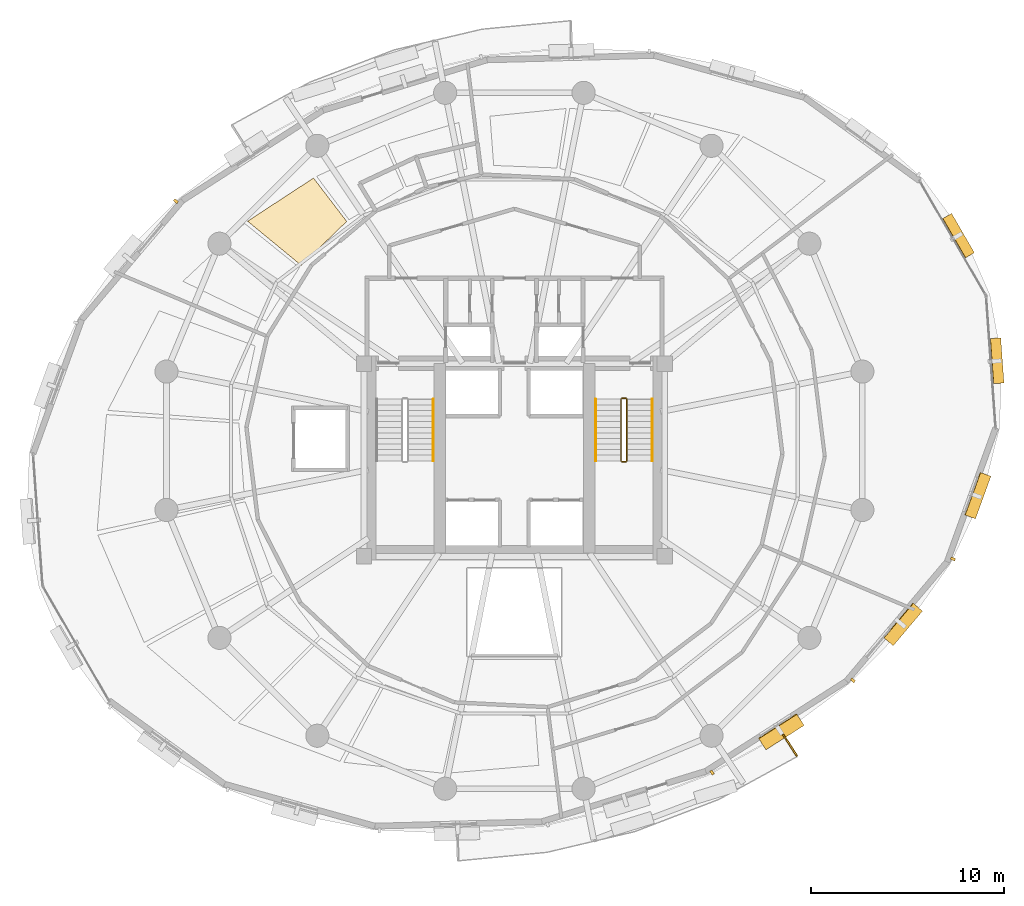
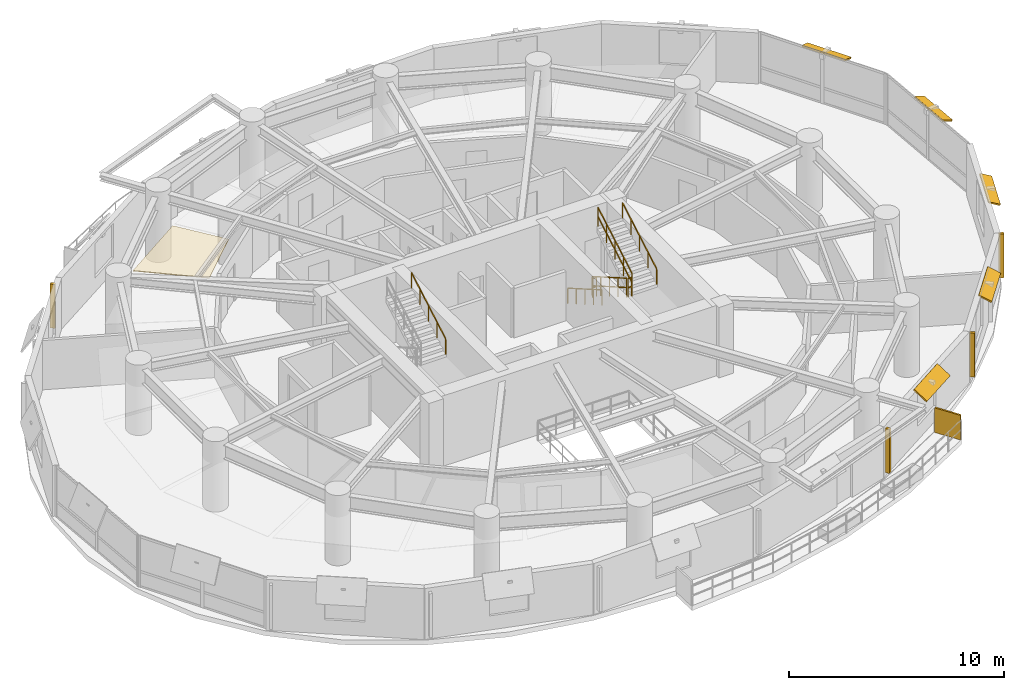
# One storey, part 14 of 15: 10 shading devices, 7 railings, 1 covering.
"""IFC4 building model written with IfcOpenShell, lengths in metres."""

import ifcopenshell
import ifcopenshell.guid

model = None  # the IFC model being written
_history = None  # IfcOwnerHistory: only IFC2X3 demands one
_inside = {}  # id of a spatial element -> (the spatial element, [elements in it])
_under = {}  # id of a project, library or spatial element -> (it, [spatial elements below it])
_declared = {}  # id of a project -> (the project, [libraries it declares])
_typed = {}  # id of a type object -> (the type object, [elements of that type])
_made_of = {}  # id of a material, layer set ... -> (it, [elements and type objects made of it])


def new_model(schema):
    """Start an empty IFC model of exactly this schema.

    Asked for "IFC4X3", IfcOpenShell would pick the latest addendum, in which some entities
    have other attributes; the version numbers below select the first issue.
    IFC2X3 requires an IfcOwnerHistory on every rooted entity: one is made here for all.
    """
    global model, _history
    if schema == "IFC4X3":
        model = ifcopenshell.file(schema_version=(4, 3, 0, 0))
    else:
        model = ifcopenshell.file(schema=schema)
    _inside.clear()
    _under.clear()
    _declared.clear()
    _typed.clear()
    _made_of.clear()
    _history = None
    if model.schema == "IFC2X3":
        org = make("IfcOrganization", Name="unknown")
        user = make(
            "IfcPersonAndOrganization",
            ThePerson=make("IfcPerson", FamilyName="unknown"),
            TheOrganization=org,
        )
        app = make(
            "IfcApplication",
            ApplicationDeveloper=org,
            Version="unknown",
            ApplicationFullName="unknown",
            ApplicationIdentifier="unknown",
        )
        _history = make(
            "IfcOwnerHistory",
            OwningUser=user,
            OwningApplication=app,
            ChangeAction="ADDED",
            CreationDate=0,
        )
    return model


def make(cls, **values):
    """One entity of the class cls with the attributes given. An attribute that is None is left unset."""
    return model.create_entity(
        cls, **{name: value for name, value in values.items() if value is not None}
    )


def rooted(cls, **values):
    """An entity with a GlobalId (a new one), such as an element, a storey or a relation."""
    return make(cls, GlobalId=ifcopenshell.guid.new(), OwnerHistory=_history, **values)


def si_unit(unit_type, name, prefix=None):
    """IfcSIUnit, for example si_unit("LENGTHUNIT", "METRE", prefix="MILLI")."""
    return make("IfcSIUnit", UnitType=unit_type, Prefix=prefix, Name=name)


def assignment(units):
    """IfcUnitAssignment: the units of a project."""
    return None if units is None else make("IfcUnitAssignment", Units=units)


def point(xyz):
    """IfcCartesianPoint."""
    return None if xyz is None else make("IfcCartesianPoint", Coordinates=xyz)


def direction(xyz):
    """IfcDirection."""
    return None if xyz is None else make("IfcDirection", DirectionRatios=xyz)


def frame(location, z_axis=None, x_axis=None):
    """IfcAxis2Placement3D, a coordinate frame: its origin and axes. An axis left out is left unset."""
    return make(
        "IfcAxis2Placement3D",
        Location=point(location),
        Axis=direction(z_axis),
        RefDirection=direction(x_axis),
    )


def frame_2d(location, x_axis=None):
    """IfcAxis2Placement2D, a coordinate frame in the plane: its origin and x axis."""
    return make(
        "IfcAxis2Placement2D", Location=point(location), RefDirection=direction(x_axis)
    )


def origin():
    """The frame at (0, 0, 0) with its axes left unset."""
    return frame((0.0, 0.0, 0.0))


def origin_2d():
    """The frame at (0, 0) in the plane with its x axis left unset."""
    return frame_2d((0.0, 0.0))


def place(relative_to, where):
    """IfcLocalPlacement: puts the frame where relative to a parent placement (None: the world)."""
    return make(
        "IfcLocalPlacement", PlacementRelTo=relative_to, RelativePlacement=where
    )


def context(
    kind, dimensions, precision=None, world=None, true_north=None, identifier=None
):
    """IfcGeometricRepresentationContext, for example the 3D "Model" context."""
    return make(
        "IfcGeometricRepresentationContext",
        ContextIdentifier=identifier,
        ContextType=kind,
        CoordinateSpaceDimension=dimensions,
        Precision=precision,
        WorldCoordinateSystem=world,
        TrueNorth=true_north,
    )


def subcontext(parent, identifier, kind, view, scale=None):
    """IfcGeometricRepresentationSubContext, for example "Body" below "Model"."""
    return make(
        "IfcGeometricRepresentationSubContext",
        ContextIdentifier=identifier,
        ContextType=kind,
        ParentContext=parent,
        TargetScale=scale,
        TargetView=view,
    )


def project(units=None, contexts=None):
    """IfcProject with its units and contexts."""
    return rooted(
        "IfcProject",
        Name="project",
        RepresentationContexts=contexts,
        UnitsInContext=assignment(units),
    )


def spatial(cls, under=None, at=None, **own):
    """A site, building, storey or space (cls), placed at a placement, below another one or the project."""
    s = rooted(cls, ObjectPlacement=at, **own)
    if under is not None:
        _under.setdefault(under.id(), (under, []))[1].append(s)
    return s


def polyline(points):
    """IfcPolyline through the points."""
    return make("IfcPolyline", Points=[point(p) for p in points])


def profile(cls, at=None, kind="AREA", **sizes):
    """A parametric profile (cls). Its sizes go by their IFC names, for example OverallWidth=200.0."""
    return make(cls, ProfileType=kind, Position=at, **sizes)


def rectangle(**sizes):
    """IfcRectangleProfileDef."""
    return profile("IfcRectangleProfileDef", **sizes)


def outline(outer, holes=None, kind="AREA"):
    """IfcArbitraryClosedProfileDef: a profile drawn as a closed curve; with holes, ...WithVoids."""
    if holes is None:
        return make("IfcArbitraryClosedProfileDef", ProfileType=kind, OuterCurve=outer)
    return make(
        "IfcArbitraryProfileDefWithVoids",
        ProfileType=kind,
        OuterCurve=outer,
        InnerCurves=holes,
    )


def extrude(swept, where, along, depth):
    """IfcExtrudedAreaSolid: the profile swept, set in the frame where, extruded along a direction by depth."""
    return make(
        "IfcExtrudedAreaSolid",
        SweptArea=swept,
        Position=where,
        ExtrudedDirection=direction(along),
        Depth=depth,
    )


def shape(context_of_items, identifier, shape_type, items):
    """IfcShapeRepresentation: the items that make up one representation, for example the "Body"."""
    return make(
        "IfcShapeRepresentation",
        ContextOfItems=context_of_items,
        RepresentationIdentifier=identifier,
        RepresentationType=shape_type,
        Items=items,
    )


def material(Name=None, Category=None):
    """IfcMaterial."""
    return make("IfcMaterial", Name=Name, Category=Category)


def layer(
    of_material, thickness, ventilated=None, Name=None, Category=None, Priority=None
):
    """IfcMaterialLayer: one layer of a wall or slab, of a material (None: an air gap)."""
    return make(
        "IfcMaterialLayer",
        Material=of_material,
        LayerThickness=thickness,
        IsVentilated=ventilated,
        Name=Name,
        Category=Category,
        Priority=Priority,
    )


def layer_set(layers, Name=None):
    """IfcMaterialLayerSet."""
    return make("IfcMaterialLayerSet", MaterialLayers=layers, LayerSetName=Name)


def made_of(thing, what):
    """Note that an element or type object is made of a material, layer set ...; save() writes the relation."""
    if what is not None:
        _made_of.setdefault(what.id(), (what, []))[1].append(thing)
    return thing


def type_object(cls, material=None, **own):
    """A type object (cls), such as IfcWallType, which elements share."""
    return made_of(rooted(cls, **own), material)


def element(
    cls,
    number,
    at=None,
    inside=None,
    cuts=None,
    type_object=None,
    material=None,
    context=None,
    identifier="Body",
    shape_type=None,
    held_by="IfcProductDefinitionShape",
    body=None,
    shapes=None,
    **own,
):
    """One element of the class cls, such as IfcWall. Its Tag is "e" and its number.

    at: its placement. inside: the storey or other place that contains it. cuts: it is an
    opening in that element (IfcRelVoidsElement). A single representation is given by context,
    identifier, shape_type and body (its items); several are given by shapes. held_by: the class
    of the entity that holds the representations. save() writes the other relations.
    """
    e = rooted(cls, Tag="e%d" % number, ObjectPlacement=at, **own)
    if body is not None:
        shapes = [shape(context, identifier, shape_type, body)]
    if shapes is not None:
        e.Representation = make(held_by, Representations=shapes)
    if inside is not None:
        _inside.setdefault(inside.id(), (inside, []))[1].append(e)
    if cuts is not None:
        rooted(
            "IfcRelVoidsElement", RelatingBuildingElement=cuts, RelatedOpeningElement=e
        )
    if type_object is not None:
        _typed.setdefault(type_object.id(), (type_object, []))[1].append(e)
    return made_of(e, material)


def aggregate(whole, parts):
    """IfcRelAggregates: a whole, such as a stair, and the parts it consists of."""
    return rooted("IfcRelAggregates", RelatingObject=whole, RelatedObjects=parts)


def save(model, path):
    """Write the relations noted so far, then the file.

    IfcRelAggregates (storeys below a building ...), IfcRelContainedInSpatialStructure (elements
    in a storey), IfcRelDefinesByType, IfcRelAssociatesMaterial and IfcRelDeclares: one each for
    every whole, place, type object, material and project.
    """
    for whole, parts in _under.values():
        aggregate(whole, parts)
    for where, things in _inside.values():
        rooted(
            "IfcRelContainedInSpatialStructure",
            RelatedElements=things,
            RelatingStructure=where,
        )
    for kind, things in _typed.values():
        rooted("IfcRelDefinesByType", RelatedObjects=things, RelatingType=kind)
    for what, things in _made_of.values():
        rooted("IfcRelAssociatesMaterial", RelatedObjects=things, RelatingMaterial=what)
    for by, libraries in _declared.values():
        rooted("IfcRelDeclares", RelatingContext=by, RelatedDefinitions=libraries)
    model.write(path)


model = new_model("IFC4")

# Units and contexts
model_context = context("Model", 3, precision=1e-05, world=origin(), true_north=direction((0.0, 1.0)))
body_context = subcontext(model_context, "Body", "Model", "MODEL_VIEW")
ifc_project = project(units=[si_unit("LENGTHUNIT", "METRE"), si_unit("AREAUNIT", "SQUARE_METRE"), si_unit("VOLUMEUNIT", "CUBIC_METRE"), si_unit("PLANEANGLEUNIT", "RADIAN"), si_unit("MASSUNIT", "GRAM", prefix="KILO"), si_unit("THERMODYNAMICTEMPERATUREUNIT", "KELVIN"), si_unit("POWERUNIT", "WATT")], contexts=[model_context])

# Site, building, storey
site_placement = place(None, origin())
site = spatial("IfcSite", under=ifc_project, at=site_placement, CompositionType="ELEMENT")
building_placement = place(site_placement, origin())
building = spatial("IfcBuilding", under=site, at=building_placement, Name="Ocrelia Relay Tower", CompositionType="ELEMENT")
storey_placement = place(building_placement, frame((0.0, 0.0, 105.800048828125)))
storey = spatial("IfcBuildingStorey", under=building, at=storey_placement, Name="L24", CompositionType="ELEMENT", Elevation=105.800048828125)

# Covering
ifc_material_1 = material(Name="Mineral-fiber acoustic ceiling tile", Category="gypsum")
ifc_layer_1 = layer(ifc_material_1, 0.0400390625, Name="Mineral-fiber acoustic ceiling tile")
ifc_layer_set_1 = layer_set([ifc_layer_1], Name="Mineral-fiber acoustic ceiling tile")
covering_type = type_object("IfcCoveringType", Name="COV-CEIL-ACOUSTIC", PredefinedType="CEILING", material=ifc_layer_set_1)
covering_placement = place(storey_placement, frame((0.0, 0.0, 2.719970703125)))
element("IfcCovering", 1, at=covering_placement, inside=storey, type_object=covering_type, Name="L24 Network Engineering Office A Suspended Ceiling 3", PredefinedType="CEILING", context=body_context, shape_type="SweptSolid", body=[
    extrude(outline(polyline([(25.302490234375, 37.3759765625), (23.5810546875, 39.62744140625), (20.15966796875, 37.388916015625), (22.9423828125, 35.09912109375), (25.302490234375, 37.3759765625)])), origin(), (0.0, 0.0, 1.0), 0.0400390625),
])

# Railings
ifc_material_2 = material(Name="Steel S355 balustrade", Category="steel")
railing_type_1 = type_object("IfcRailingType", Name="RL-STAIR-GUARD", PredefinedType="GUARDRAIL", material=ifc_material_2)
railing_1_placement = place(storey_placement, frame((39.530029296875, 28.14990234375, 0.16650390625)))
element("IfcRailing", 2, at=railing_1_placement, inside=storey, type_object=railing_type_1, Name="L24 ST2 stair guard 1", PredefinedType="GUARDRAIL", context=body_context, shape_type="SweptSolid", body=[
    extrude(rectangle(XDim=0.048095703125, YDim=0.048095703125, at=origin_2d()), frame((0.0, 0.0, 1.076171875), z_axis=(0.0, -0.86699087805, 0.498324008431), x_axis=(1.0, 0.0, 0.0)), (0.0, 0.0, 1.0), 3.679443359375),
    extrude(rectangle(XDim=0.048095703125, YDim=0.048095703125, at=origin_2d()), frame((0.0, 0.0, 0.550048828125), z_axis=(0.0, -0.86699087805, 0.498324008431), x_axis=(1.0, 0.0, 0.0)), (0.0, 0.0, 1.0), 3.679443359375),
    extrude(rectangle(XDim=0.0419921875, YDim=0.0419921875, at=origin_2d()), origin(), (0.0, 0.0, 1.0), 1.052001953125),
    extrude(rectangle(XDim=0.0419921875, YDim=0.0419921875, at=origin_2d()), frame((0.0, -0.79736328125, 0.45849609375)), (0.0, 0.0, 1.0), 1.052001953125),
    extrude(rectangle(XDim=0.0419921875, YDim=0.0419921875, at=origin_2d()), frame((0.0, -1.594970703125, 0.916748046875)), (0.0, 0.0, 1.0), 1.052001953125),
    extrude(rectangle(XDim=0.0419921875, YDim=0.0419921875, at=origin_2d()), frame((0.0, -2.392578125, 1.375)), (0.0, 0.0, 1.0), 1.052001953125),
    extrude(rectangle(XDim=0.0419921875, YDim=0.0419921875, at=origin_2d()), frame((0.0, -3.18994140625, 1.83349609375)), (0.0, 0.0, 1.0), 1.052001953125),
])
railing_2_placement = place(storey_placement, frame((39.580078125, 24.909912109375, 2.0)))
element("IfcRailing", 3, at=railing_2_placement, inside=storey, type_object=railing_type_1, Name="L24 ST2 stair guard 2", PredefinedType="GUARDRAIL", context=body_context, shape_type="SweptSolid", body=[
    extrude(rectangle(XDim=0.048095703125, YDim=0.048095703125, at=origin_2d()), frame((0.0, 0.0, 1.076171875), z_axis=(1.0, 0.0, 0.0), x_axis=(0.0, 1.0, 0.0)), (0.0, 0.0, 1.0), 0.199951171875),
    extrude(rectangle(XDim=0.048095703125, YDim=0.048095703125, at=origin_2d()), frame((0.0, 0.0, 0.550048828125), z_axis=(1.0, 0.0, 0.0), x_axis=(0.0, 1.0, 0.0)), (0.0, 0.0, 1.0), 0.199951171875),
    extrude(rectangle(XDim=0.0419921875, YDim=0.0419921875, at=origin_2d()), origin(), (0.0, 0.0, 1.0), 1.052001953125),
    extrude(rectangle(XDim=0.0419921875, YDim=0.0419921875, at=origin_2d()), frame((0.199951171875, 0.0, 0.0)), (0.0, 0.0, 1.0), 1.052001953125),
])
railing_3_placement = place(storey_placement, frame((39.830078125, 24.9599609375, 2.16650390625)))
element("IfcRailing", 4, at=railing_3_placement, inside=storey, type_object=railing_type_1, Name="L24 ST2 stair guard 3", PredefinedType="GUARDRAIL", context=body_context, shape_type="SweptSolid", body=[
    extrude(rectangle(XDim=0.048095703125, YDim=0.048095703125, at=origin_2d()), frame((0.0, 0.0, 1.076171875), z_axis=(0.0, 0.86699087805, 0.498324008431), x_axis=(-1.0, 0.0, 0.0)), (0.0, 0.0, 1.0), 3.679443359375),
    extrude(rectangle(XDim=0.048095703125, YDim=0.048095703125, at=origin_2d()), frame((0.0, 0.0, 0.550048828125), z_axis=(0.0, 0.86699087805, 0.498324008431), x_axis=(-1.0, 0.0, 0.0)), (0.0, 0.0, 1.0), 3.679443359375),
    extrude(rectangle(XDim=0.0419921875, YDim=0.0419921875, at=origin_2d()), origin(), (0.0, 0.0, 1.0), 1.052001953125),
    extrude(rectangle(XDim=0.0419921875, YDim=0.0419921875, at=origin_2d()), frame((0.0, 0.79736328125, 0.45849609375)), (0.0, 0.0, 1.0), 1.052001953125),
    extrude(rectangle(XDim=0.0419921875, YDim=0.0419921875, at=origin_2d()), frame((0.0, 1.594970703125, 0.916748046875)), (0.0, 0.0, 1.0), 1.052001953125),
    extrude(rectangle(XDim=0.0419921875, YDim=0.0419921875, at=origin_2d()), frame((0.0, 2.392578125, 1.375)), (0.0, 0.0, 1.0), 1.052001953125),
    extrude(rectangle(XDim=0.0419921875, YDim=0.0419921875, at=origin_2d()), frame((0.0, 3.18994140625, 1.83349609375)), (0.0, 0.0, 1.0), 1.052001953125),
])
railing_4_placement = place(storey_placement, frame((39.580078125, 28.199951171875, 0.0)))
element("IfcRailing", 5, at=railing_4_placement, inside=storey, type_object=railing_type_1, Name="L24 ST2 stair guard 4", PredefinedType="GUARDRAIL", context=body_context, shape_type="SweptSolid", body=[
    extrude(rectangle(XDim=0.048095703125, YDim=0.048095703125, at=origin_2d()), frame((0.0, 0.0, 1.076171875), z_axis=(1.0, 0.0, 0.0), x_axis=(0.0, 1.0, 0.0)), (0.0, 0.0, 1.0), 0.199951171875),
    extrude(rectangle(XDim=0.048095703125, YDim=0.048095703125, at=origin_2d()), frame((0.0, 0.0, 0.550048828125), z_axis=(1.0, 0.0, 0.0), x_axis=(0.0, 1.0, 0.0)), (0.0, 0.0, 1.0), 0.199951171875),
    extrude(rectangle(XDim=0.0419921875, YDim=0.0419921875, at=origin_2d()), origin(), (0.0, 0.0, 1.0), 1.052001953125),
    extrude(rectangle(XDim=0.0419921875, YDim=0.0419921875, at=origin_2d()), frame((0.199951171875, 0.0, 0.0)), (0.0, 0.0, 1.0), 1.052001953125),
])
ifc_material_3 = material(Name="Steel S355 tubular handrail", Category="steel")
railing_type_2 = type_object("IfcRailingType", Name="RL-STAIR-HAND", PredefinedType="HANDRAIL", material=ifc_material_3)
railing_5_placement = place(storey_placement, frame((29.800048828125, 24.9599609375, 2.16650390625)))
element("IfcRailing", 6, at=railing_5_placement, inside=storey, type_object=railing_type_2, Name="L24 ST1 stair handrail 2", PredefinedType="HANDRAIL", context=body_context, shape_type="SweptSolid", body=[
    extrude(rectangle(XDim=0.048095703125, YDim=0.048095703125, at=origin_2d()), frame((0.0, 0.0, 0.8759765625), z_axis=(0.0, 0.86699087805, 0.498324008431), x_axis=(-1.0, 0.0, 0.0)), (0.0, 0.0, 1.0), 3.679443359375),
    extrude(rectangle(XDim=0.0419921875, YDim=0.0419921875, at=origin_2d()), origin(), (0.0, 0.0, 1.0), 0.851806640625),
    extrude(rectangle(XDim=0.0419921875, YDim=0.0419921875, at=origin_2d()), frame((0.0, 0.79736328125, 0.45849609375)), (0.0, 0.0, 1.0), 0.851806640625),
    extrude(rectangle(XDim=0.0419921875, YDim=0.0419921875, at=origin_2d()), frame((0.0, 1.594970703125, 0.916748046875)), (0.0, 0.0, 1.0), 0.851806640625),
    extrude(rectangle(XDim=0.0419921875, YDim=0.0419921875, at=origin_2d()), frame((0.0, 2.392578125, 1.375)), (0.0, 0.0, 1.0), 0.851806640625),
    extrude(rectangle(XDim=0.0419921875, YDim=0.0419921875, at=origin_2d()), frame((0.0, 3.18994140625, 1.83349609375)), (0.0, 0.0, 1.0), 0.851806640625),
])
railing_6_placement = place(storey_placement, frame((38.2099609375, 28.14990234375, 0.16650390625)))
element("IfcRailing", 7, at=railing_6_placement, inside=storey, type_object=railing_type_2, Name="L24 ST2 stair handrail 1", PredefinedType="HANDRAIL", context=body_context, shape_type="SweptSolid", body=[
    extrude(rectangle(XDim=0.048095703125, YDim=0.048095703125, at=origin_2d()), frame((0.0, 0.0, 0.8759765625), z_axis=(0.0, -0.86699087805, 0.498324008431), x_axis=(1.0, 0.0, 0.0)), (0.0, 0.0, 1.0), 3.679443359375),
    extrude(rectangle(XDim=0.0419921875, YDim=0.0419921875, at=origin_2d()), origin(), (0.0, 0.0, 1.0), 0.851806640625),
    extrude(rectangle(XDim=0.0419921875, YDim=0.0419921875, at=origin_2d()), frame((0.0, -0.79736328125, 0.45849609375)), (0.0, 0.0, 1.0), 0.851806640625),
    extrude(rectangle(XDim=0.0419921875, YDim=0.0419921875, at=origin_2d()), frame((0.0, -1.594970703125, 0.916748046875)), (0.0, 0.0, 1.0), 0.851806640625),
    extrude(rectangle(XDim=0.0419921875, YDim=0.0419921875, at=origin_2d()), frame((0.0, -2.392578125, 1.375)), (0.0, 0.0, 1.0), 0.851806640625),
    extrude(rectangle(XDim=0.0419921875, YDim=0.0419921875, at=origin_2d()), frame((0.0, -3.18994140625, 1.83349609375)), (0.0, 0.0, 1.0), 0.851806640625),
])
railing_7_placement = place(storey_placement, frame((41.14990234375, 24.9599609375, 2.16650390625)))
element("IfcRailing", 8, at=railing_7_placement, inside=storey, type_object=railing_type_2, Name="L24 ST2 stair handrail 2", PredefinedType="HANDRAIL", context=body_context, shape_type="SweptSolid", body=[
    extrude(rectangle(XDim=0.048095703125, YDim=0.048095703125, at=origin_2d()), frame((0.0, 0.0, 0.8759765625), z_axis=(0.0, 0.86699087805, 0.498324008431), x_axis=(-1.0, 0.0, 0.0)), (0.0, 0.0, 1.0), 3.679443359375),
    extrude(rectangle(XDim=0.0419921875, YDim=0.0419921875, at=origin_2d()), origin(), (0.0, 0.0, 1.0), 0.851806640625),
    extrude(rectangle(XDim=0.0419921875, YDim=0.0419921875, at=origin_2d()), frame((0.0, 0.79736328125, 0.45849609375)), (0.0, 0.0, 1.0), 0.851806640625),
    extrude(rectangle(XDim=0.0419921875, YDim=0.0419921875, at=origin_2d()), frame((0.0, 1.594970703125, 0.916748046875)), (0.0, 0.0, 1.0), 0.851806640625),
    extrude(rectangle(XDim=0.0419921875, YDim=0.0419921875, at=origin_2d()), frame((0.0, 2.392578125, 1.375)), (0.0, 0.0, 1.0), 0.851806640625),
    extrude(rectangle(XDim=0.0419921875, YDim=0.0419921875, at=origin_2d()), frame((0.0, 3.18994140625, 1.83349609375)), (0.0, 0.0, 1.0), 0.851806640625),
])

# Shading devices
ifc_material_4 = material(Name="Perforated oxide terracotta solar screen", Category="masonry")
ifc_layer_2 = layer(ifc_material_4, 0.090087890625, Name="Perforated oxide terracotta solar screen")
ifc_layer_set_2 = layer_set([ifc_layer_2], Name="Perforated oxide terracotta solar screen")
shading_device_type_1 = type_object("IfcShadingDeviceType", Name="SH-BALC-SCREEN", PredefinedType="USERDEFINED", material=ifc_layer_set_2)
shading_device_1_placement = place(storey_placement, frame((48.298095703125, 10.199951171875, 0.0), z_axis=(0.0, 0.0, 1.0), x_axis=(0.541029593042, -0.841003554958, 0.0)))
element("IfcShadingDevice", 9, at=shading_device_1_placement, inside=storey, type_object=shading_device_type_1, Name="L24 Balcony Perforated Terracotta Screen B2-2", ObjectType="SCREEN", PredefinedType="USERDEFINED", context=body_context, shape_type="SweptSolid", body=[
    extrude(rectangle(XDim=1.340087890625, YDim=0.090087890625, at=origin_2d()), origin(), (0.0, 0.0, 1.0), 1.39990234375),
])
ifc_material_5 = material(Name="Extruded oxide terracotta vertical baguette", Category="masonry")
shading_device_type_2 = type_object("IfcShadingDeviceType", Name="SH-TERR-BAGUETTE", PredefinedType="USERDEFINED", material=ifc_material_5)
for number, where, z_axis, x_axis, name in (
    (10, (16.444091796875, 38.425048828125, 0.199951171875), (0.0, 0.0, 1.0), (-0.645214308359, -0.764001633695, 0.0), "L24 Oxide Terracotta Vertical Baguette 07"),
    (11, (44.250732421875, 8.794189453125, 0.199951171875), (0.0, 0.0, 1.0), (0.84178147354, 0.539818442446, 0.0), "L24 Oxide Terracotta Vertical Baguette 15"),
    (12, (51.555908203125, 13.574951171875, 0.199951171875), (0.0, 0.0, 1.0), (0.645214308359, 0.764001633695, 0.0), "L24 Oxide Terracotta Vertical Baguette 16"),
    (13, (56.746337890625, 19.8720703125, 0.199951171875), (0.0, 0.0, 1.0), (0.340704301135, 0.940170505381, 0.0), "L24 Oxide Terracotta Vertical Baguette 17"),
):
    element("IfcShadingDevice", number, at=place(storey_placement, frame(where, z_axis=z_axis, x_axis=x_axis)), inside=storey, type_object=shading_device_type_2, Name=name, ObjectType="BAGUETTE", PredefinedType="USERDEFINED", context=body_context, shape_type="SweptSolid", body=[
        extrude(rectangle(XDim=0.139892578125, YDim=0.239990234375, at=origin_2d()), origin(), (0.0, 0.0, 1.0), 2.5),
    ])
ifc_material_6 = material(Name="Extruded oxide terracotta fin", Category="masonry")
ifc_layer_3 = layer(ifc_material_6, 0.080078125, Name="Extruded oxide terracotta fin")
ifc_layer_set_3 = layer_set([ifc_layer_3], Name="Extruded oxide terracotta fin")
shading_device_type_3 = type_object("IfcShadingDeviceType", Name="SH-VISOR-FIN-MED", PredefinedType="USERDEFINED", material=ifc_layer_set_3)
shading_device_2_placement = place(storey_placement, frame((47.827880859375, 10.92919921875, 2.70703125), z_axis=(0.307849570562, -0.480054115902, 0.821447921484), x_axis=(0.84178147354, 0.539818442446, 0.0)))
element("IfcShadingDevice", 14, at=shading_device_2_placement, inside=storey, type_object=shading_device_type_3, Name="L24 Canted Terracotta Sun-Visor Fin 15", ObjectType="FIN", PredefinedType="USERDEFINED", context=body_context, shape_type="SweptSolid", body=[
    extrude(rectangle(XDim=2.35009765625, YDim=0.830078125, at=origin_2d()), origin(), (0.0, 0.0, 1.0), 0.080078125),
])
ifc_layer_4 = layer(ifc_material_6, 0.080078125, Name="Extruded oxide terracotta fin")
ifc_layer_set_4 = layer_set([ifc_layer_4], Name="Extruded oxide terracotta fin")
shading_device_type_4 = type_object("IfcShadingDeviceType", Name="SH-VISOR-FIN-SHAL", PredefinedType="USERDEFINED", material=ifc_layer_set_4)
shading_device_3_placement = place(storey_placement, frame((57.019287109375, 36.629638671875, 2.701904296875), z_axis=(0.267430404409, 0.154830493153, 0.951056516295), x_axis=(-0.501042000832, 0.865422967919, 0.0)))
element("IfcShadingDevice", 15, at=shading_device_3_placement, inside=storey, type_object=shading_device_type_4, Name="L24 Canted Terracotta Sun-Visor Fin 01", ObjectType="FIN", PredefinedType="USERDEFINED", context=body_context, shape_type="SweptSolid", body=[
    extrude(rectangle(XDim=2.35009765625, YDim=0.550048828125, at=origin_2d()), origin(), (0.0, 0.0, 1.0), 0.080078125),
])
shading_device_4_placement = place(storey_placement, frame((54.143310546875, 16.492431640625, 2.7041015625), z_axis=(0.34280386452, -0.289504562025, 0.89368485443), x_axis=(0.645214308359, 0.764001633695, 0.0)))
element("IfcShadingDevice", 16, at=shading_device_4_placement, inside=storey, type_object=shading_device_type_4, Name="L24 Canted Terracotta Sun-Visor Fin 16", ObjectType="FIN", PredefinedType="USERDEFINED", context=body_context, shape_type="SweptSolid", body=[
    extrude(rectangle(XDim=2.35009765625, YDim=0.694091796875, at=origin_2d()), origin(), (0.0, 0.0, 1.0), 0.080078125),
])
shading_device_5_placement = place(storey_placement, frame((58.020751953125, 23.16162109375, 2.702880859375), z_axis=(0.345947273788, -0.125366328204, 0.929840721582), x_axis=(0.340704301135, 0.940170505381, 0.0)))
element("IfcShadingDevice", 17, at=shading_device_5_placement, inside=storey, type_object=shading_device_type_4, Name="L24 Canted Terracotta Sun-Visor Fin 17", ObjectType="FIN", PredefinedType="USERDEFINED", context=body_context, shape_type="SweptSolid", body=[
    extrude(rectangle(XDim=2.35009765625, YDim=0.610107421875, at=origin_2d()), origin(), (0.0, 0.0, 1.0), 0.080078125),
])
shading_device_6_placement = place(storey_placement, frame((59.01708984375, 30.147705078125, 2.7021484375), z_axis=(0.322746621413, 0.023308014766, 0.946198369695), x_axis=(-0.072030099448, 0.997402458777, 0.0)))
element("IfcShadingDevice", 18, at=shading_device_6_placement, inside=storey, type_object=shading_device_type_4, Name="L24 Canted Terracotta Sun-Visor Fin 18", ObjectType="FIN", PredefinedType="USERDEFINED", context=body_context, shape_type="SweptSolid", body=[
    extrude(rectangle(XDim=2.35009765625, YDim=0.56494140625, at=origin_2d()), origin(), (0.0, 0.0, 1.0), 0.080078125),
])

save(model, "model.ifc")
